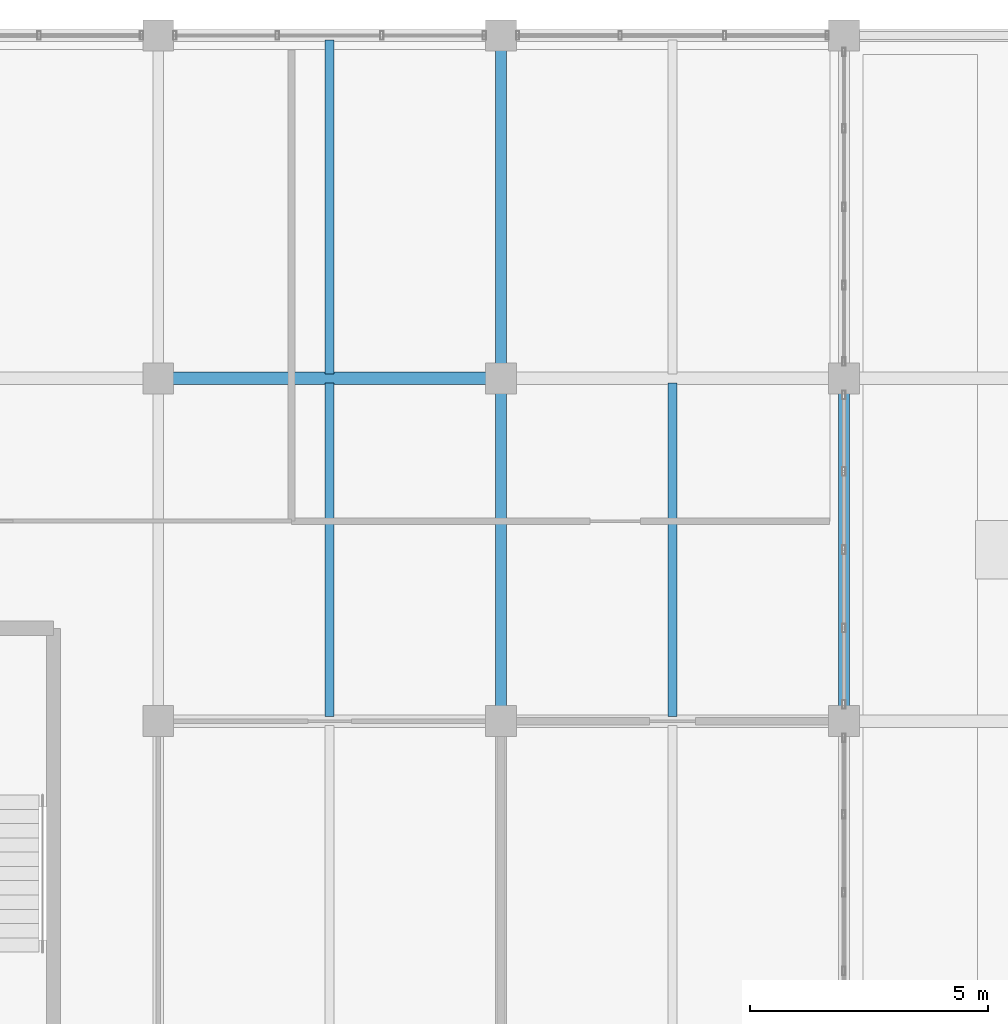
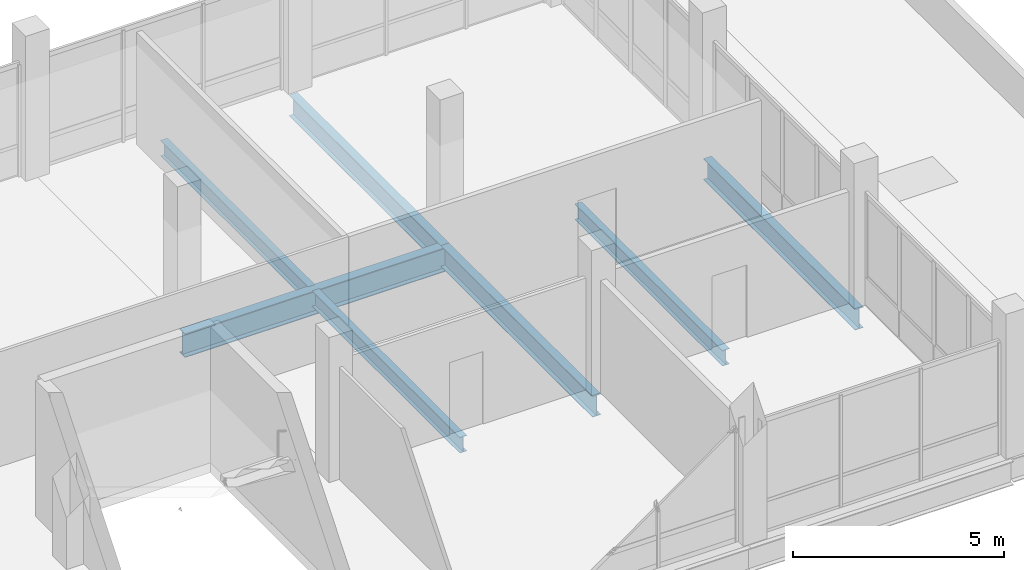
# One storey, part 63 of 102: 7 beams.
"""IFC4 building model written with IfcOpenShell, lengths in metres."""

from ifc_helpers import new_model, si_unit, direction, frame, origin, origin_2d, place, context, subcontext, project, spatial, i_section, extrude, material, material_profile, profile_set, type_object, element, save


model = new_model("IFC4")

# Units and contexts
model_context = context("Model", 3, precision=1e-05, world=origin(), true_north=direction((0.0, 1.0)))
body_context = subcontext(model_context, "Body", "Model", "MODEL_VIEW")
ifc_project = project(units=[si_unit("LENGTHUNIT", "METRE"), si_unit("AREAUNIT", "SQUARE_METRE"), si_unit("VOLUMEUNIT", "CUBIC_METRE"), si_unit("PLANEANGLEUNIT", "RADIAN"), si_unit("MASSUNIT", "GRAM", prefix="KILO")], contexts=[model_context])

# Site, building, storey
site_placement = place(None, origin())
site = spatial("IfcSite", under=ifc_project, at=site_placement, CompositionType="ELEMENT")
building_placement = place(site_placement, origin())
building = spatial("IfcBuilding", under=site, at=building_placement, Name="Yarey Park Central Fire Station", CompositionType="ELEMENT")
storey_placement = place(building_placement, frame((0.0, 0.0, 6.0)))
storey = spatial("IfcBuildingStorey", under=building, at=storey_placement, Name="L02", CompositionType="ELEMENT", Elevation=6.0)

# Beams
ifc_material = material(Name="Steel ASTM A992 Gr. 50", Category="steel")
ifc_material_profile_1 = material_profile(ifc_material, i_section(OverallWidth=0.22900390625, OverallDepth=0.612060546875, WebThickness=0.011962890625, FlangeThickness=0.01953125, at=origin_2d()), Name="W610x125")
ifc_profile_set_1 = profile_set([ifc_material_profile_1], Name="Steel ASTM A992 Gr. 50")
beam_type_1 = type_object("IfcBeamType", Name="STR_BM_W610", PredefinedType="BEAM", material=ifc_profile_set_1)
for number, where, z_axis, x_axis, name in (
    (1, (151.199951171875, 100.800048828125, -0.591064453125), (0.0, 1.0, 0.0), (-1.0, 0.0, 0.0), "BMY L02 X1512 Y1008"),
    (2, (151.199951171875, 108.0, -0.591064453125), (0.0, 1.0, 0.0), (-1.0, 0.0, 0.0), "BMY L02 X1512 Y1080"),
    (3, (158.39990234375, 100.800048828125, -0.591064453125), (0.0, 1.0, 0.0), (-1.0, 0.0, 0.0), "BMY L02 X1584 Y1008"),
):
    element("IfcBeam", number, at=place(storey_placement, frame(where, z_axis=z_axis, x_axis=x_axis)), inside=storey, type_object=beam_type_1, Name=name, PredefinedType="BEAM", context=body_context, shape_type="SweptSolid", body=[
        extrude(i_section(OverallWidth=0.22900390625, OverallDepth=0.612060546875, WebThickness=0.011962890625, FlangeThickness=0.01953125, at=origin_2d()), origin(), (0.0, 0.0, 1.0), 7.199951171875),
    ])
ifc_material_profile_2 = material_profile(ifc_material, i_section(OverallWidth=0.256103515625, OverallDepth=0.693115234375, WebThickness=0.014404296875, FlangeThickness=0.023681640625, at=origin_2d()), Name="W690x170")
ifc_profile_set_2 = profile_set([ifc_material_profile_2], Name="Steel ASTM A992 Gr. 50")
beam_type_2 = type_object("IfcBeamType", Name="STR_BM_W690", PredefinedType="BEAM", material=ifc_profile_set_2)
beam_placement = place(storey_placement, frame((144.0, 108.0, -0.631591796875), z_axis=(1.0, 0.0, 0.0), x_axis=(0.0, 1.0, 0.0)))
element("IfcBeam", 4, at=beam_placement, inside=storey, type_object=beam_type_2, Name="BMX L02 Y1080 X1440", PredefinedType="BEAM", context=body_context, shape_type="SweptSolid", body=[
    extrude(i_section(OverallWidth=0.256103515625, OverallDepth=0.693115234375, WebThickness=0.014404296875, FlangeThickness=0.023681640625, at=origin_2d()), origin(), (0.0, 0.0, 1.0), 7.199951171875),
])
ifc_material_profile_3 = material_profile(ifc_material, i_section(OverallWidth=0.18994140625, OverallDepth=0.45703125, WebThickness=0.009033203125, FlangeThickness=0.014404296875, at=origin_2d()), Name="W460x74")
ifc_profile_set_3 = profile_set([ifc_material_profile_3], Name="Steel ASTM A992 Gr. 50")
beam_type_3 = type_object("IfcBeamType", Name="STR_JST_W460", PredefinedType="JOIST", material=ifc_profile_set_3)
for number, where, z_axis, x_axis, name in (
    (5, (147.60009765625, 100.89501953125, -0.513427734375), (0.0, 1.0, 0.0), (-1.0, 0.0, 0.0), "JST L02 X1476 Y1008"),
    (6, (147.60009765625, 108.094970703125, -0.513427734375), (0.0, 1.0, 0.0), (-1.0, 0.0, 0.0), "JST L02 X1476 Y1080"),
    (7, (154.800048828125, 100.89501953125, -0.513427734375), (0.0, 1.0, 0.0), (-1.0, 0.0, 0.0), "JST L02 X1548 Y1008"),
):
    element("IfcBeam", number, at=place(storey_placement, frame(where, z_axis=z_axis, x_axis=x_axis)), inside=storey, type_object=beam_type_3, Name=name, PredefinedType="JOIST", context=body_context, shape_type="SweptSolid", body=[
        extrude(i_section(OverallWidth=0.18994140625, OverallDepth=0.45703125, WebThickness=0.009033203125, FlangeThickness=0.014404296875, at=origin_2d()), origin(), (0.0, 0.0, 1.0), 7.010009765625),
    ])

save(model, "model.ifc")
